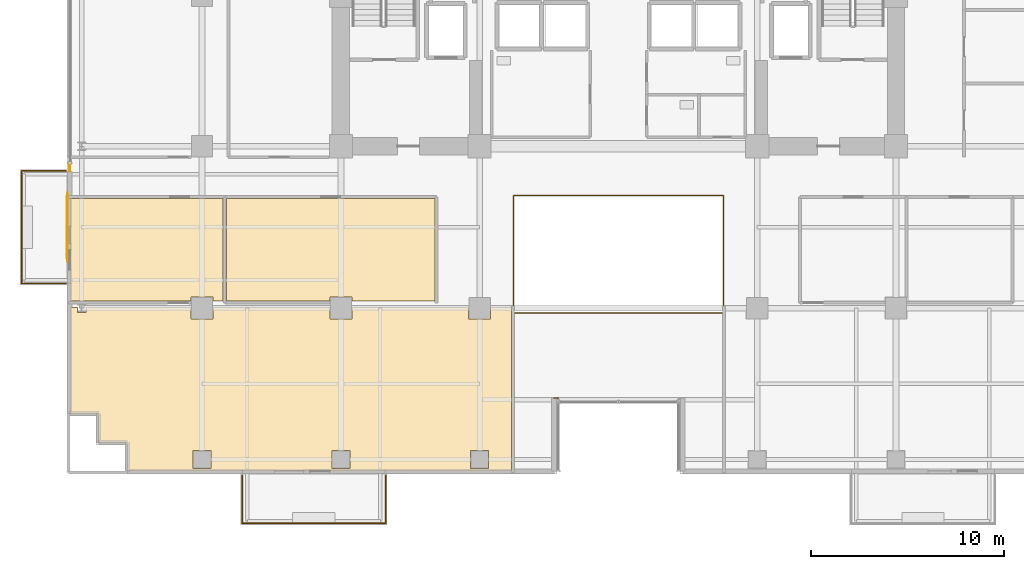
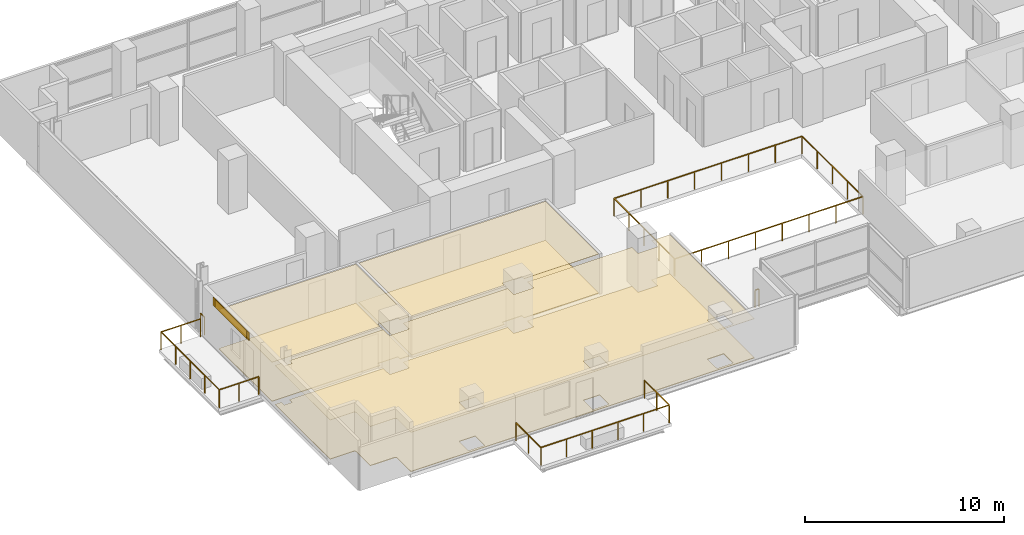
# One storey, part 28 of 32: 7 coverings, 5 railings, 1 shading device.
"""IFC4 building model written with IfcOpenShell, lengths in metres."""

from ifc_helpers import new_model, si_unit, direction, frame, origin, origin_2d, place, context, subcontext, project, spatial, polyline, rectangle, outline, extrude, source, transform, mapped, material, layer, layer_set, type_object, element, save


model = new_model("IFC4")

# Units and contexts
model_context = context("Model", 3, precision=1e-05, world=origin(), true_north=direction((0.0, 1.0)))
body_context = subcontext(model_context, "Body", "Model", "MODEL_VIEW")
ifc_project = project(units=[si_unit("LENGTHUNIT", "METRE"), si_unit("AREAUNIT", "SQUARE_METRE"), si_unit("VOLUMEUNIT", "CUBIC_METRE"), si_unit("PLANEANGLEUNIT", "RADIAN"), si_unit("MASSUNIT", "GRAM", prefix="KILO")], contexts=[model_context])

# Site, building, storey
site_placement = place(None, origin())
site = spatial("IfcSite", under=ifc_project, at=site_placement, CompositionType="ELEMENT")
building_placement = place(site_placement, origin())
building = spatial("IfcBuilding", under=site, at=building_placement, Name="Zarnakvel Exchange Tower", CompositionType="ELEMENT")
storey_placement = place(building_placement, frame((0.0, 0.0, 73.60009765625)))
storey = spatial("IfcBuildingStorey", under=building, at=storey_placement, Name="L20", CompositionType="ELEMENT", Elevation=73.60009765625)

# Coverings
ifc_material_1 = material(Name="Perforated Bronze Acoustic Metal Ceiling", Category="aluminium")
ifc_layer_1 = layer(ifc_material_1, 0.02001953125)
ifc_layer_set_1 = layer_set([ifc_layer_1], Name="Perforated Bronze Acoustic Metal Ceiling")
covering_type_1 = type_object("IfcCoveringType", Name="CLG-01", PredefinedType="CEILING", material=ifc_layer_set_1)
covering_1_placement = place(storey_placement, frame((0.0, 0.0, 2.40478515625)))
element("IfcCovering", 1, at=covering_1_placement, inside=storey, type_object=covering_type_1, Name="L20 Suspended Acoustic Ceiling (Sovereign Wealth Office)", PredefinedType="CEILING", context=body_context, shape_type="SweptSolid", body=[
    extrude(outline(polyline([(-28.449951171875, -3.909912109375), (-20.504638671875, -3.909912109375), (-20.504638671875, -9.239990234375), (-21.030029296875, -9.239990234375), (-21.030029296875, -9.030029296875), (-22.169921875, -9.030029296875), (-22.169921875, -9.239990234375), (-28.449951171875, -9.239990234375), (-28.449951171875, -3.909912109375)])), origin(), (0.0, 0.0, 1.0), 0.02001953125),
])
covering_2_placement = place(storey_placement, frame((0.0, 0.0, 2.40478515625)))
element("IfcCovering", 2, at=covering_2_placement, inside=storey, type_object=covering_type_1, Name="L20 Suspended Acoustic Ceiling (Corporate Advisory Suite)", PredefinedType="CEILING", context=body_context, shape_type="SweptSolid", body=[
    extrude(outline(polyline([(-20.344482421875, -3.909912109375), (-9.510009765625, -3.909912109375), (-9.510009765625, -9.239990234375), (-13.830078125, -9.239990234375), (-13.830078125, -9.030029296875), (-14.969970703125, -9.030029296875), (-14.969970703125, -9.239990234375), (-20.344482421875, -9.239990234375), (-20.344482421875, -3.909912109375)])), origin(), (0.0, 0.0, 1.0), 0.02001953125),
])
covering_3_placement = place(storey_placement, frame((0.0, 0.0, 2.40478515625)))
element("IfcCovering", 3, at=covering_3_placement, inside=storey, type_object=covering_type_1, Name="L20 Suspended Acoustic Ceiling (Sovereign Wealth Office)", PredefinedType="CEILING", context=body_context, shape_type="SweptSolid", body=[
    extrude(outline(polyline([(-28.075927734375, -9.56005859375), (-28.075927734375, -9.83251953125), (-27.6240234375, -9.83251953125), (-27.6240234375, -9.56005859375), (-22.169921875, -9.56005859375), (-22.169921875, -10.169921875), (-21.030029296875, -10.169921875), (-21.030029296875, -9.56005859375), (-14.969970703125, -9.56005859375), (-14.969970703125, -10.169921875), (-13.830078125, -10.169921875), (-13.830078125, -9.56005859375), (-7.77001953125, -9.56005859375), (-7.77001953125, -10.169921875), (-6.6298828125, -10.169921875), (-6.6298828125, -9.56005859375), (-5.56005859375, -9.56005859375), (-5.56005859375, -18.050048828125), (-25.47998046875, -18.050048828125), (-25.47998046875, -16.699951171875), (-25.48046875, -16.688232421875), (-25.482421875, -16.676513671875), (-25.485107421875, -16.665283203125), (-25.489013671875, -16.654052734375), (-25.494140625, -16.643310546875), (-25.500244140625, -16.63330078125), (-25.50732421875, -16.623779296875), (-25.51513671875, -16.615234375), (-25.52392578125, -16.607177734375), (-25.533447265625, -16.600341796875), (-25.54345703125, -16.59423828125), (-25.55419921875, -16.589111328125), (-25.565185546875, -16.585205078125), (-25.57666015625, -16.582275390625), (-25.588134765625, -16.58056640625), (-25.60009765625, -16.580078125), (-26.97998046875, -16.580078125), (-26.97998046875, -15.199951171875), (-26.98046875, -15.188232421875), (-26.982421875, -15.176513671875), (-26.985107421875, -15.165283203125), (-26.989013671875, -15.154052734375), (-26.994140625, -15.143310546875), (-27.000244140625, -15.13330078125), (-27.00732421875, -15.123779296875), (-27.01513671875, -15.115234375), (-27.02392578125, -15.107177734375), (-27.033447265625, -15.100341796875), (-27.04345703125, -15.09423828125), (-27.05419921875, -15.089111328125), (-27.065185546875, -15.085205078125), (-27.07666015625, -15.082275390625), (-27.088134765625, -15.08056640625), (-27.10009765625, -15.080078125), (-28.449951171875, -15.080078125), (-28.449951171875, -9.56005859375), (-28.075927734375, -9.56005859375)]), holes=[polyline([(-6.72998046875, -17.919921875), (-6.72998046875, -16.97998046875), (-7.669921875, -16.97998046875), (-7.669921875, -17.919921875), (-6.72998046875, -17.919921875)]), polyline([(-13.929931640625, -17.919921875), (-13.929931640625, -16.97998046875), (-14.8701171875, -16.97998046875), (-14.8701171875, -17.919921875), (-13.929931640625, -17.919921875)]), polyline([(-21.1298828125, -17.919921875), (-21.1298828125, -16.97998046875), (-22.070068359375, -16.97998046875), (-22.070068359375, -17.919921875), (-21.1298828125, -17.919921875)])]), origin(), (0.0, 0.0, 1.0), 0.02001953125),
])
ifc_material_2 = material(Name="Heavy-Duty Raised Access Floor Panel", Category="steel")
ifc_layer_2 = layer(ifc_material_2, 0.034912109375)
ifc_layer_set_2 = layer_set([ifc_layer_2], Name="Heavy-Duty Raised Access Floor Panel")
covering_type_2 = type_object("IfcCoveringType", Name="FLR-02", PredefinedType="FLOORING", material=ifc_layer_set_2)
covering_4_placement = place(storey_placement, origin())
element("IfcCovering", 4, at=covering_4_placement, inside=storey, type_object=covering_type_2, Name="L20 Floor Finish (Sovereign Wealth Office)", PredefinedType="FLOORING", context=body_context, shape_type="SweptSolid", body=[
    extrude(outline(polyline([(-28.449951171875, -3.909912109375), (-20.504638671875, -3.909912109375), (-20.504638671875, -9.239990234375), (-21.030029296875, -9.239990234375), (-21.030029296875, -9.030029296875), (-22.169921875, -9.030029296875), (-22.169921875, -9.239990234375), (-28.449951171875, -9.239990234375), (-28.449951171875, -3.909912109375)])), origin(), (0.0, 0.0, 1.0), 0.034912109375),
])
covering_5_placement = place(storey_placement, origin())
element("IfcCovering", 5, at=covering_5_placement, inside=storey, type_object=covering_type_2, Name="L20 Floor Finish (Corporate Advisory Suite)", PredefinedType="FLOORING", context=body_context, shape_type="SweptSolid", body=[
    extrude(outline(polyline([(-20.344482421875, -3.909912109375), (-9.510009765625, -3.909912109375), (-9.510009765625, -9.239990234375), (-13.830078125, -9.239990234375), (-13.830078125, -9.030029296875), (-14.969970703125, -9.030029296875), (-14.969970703125, -9.239990234375), (-20.344482421875, -9.239990234375), (-20.344482421875, -3.909912109375)])), origin(), (0.0, 0.0, 1.0), 0.034912109375),
])
covering_6_placement = place(storey_placement, origin())
element("IfcCovering", 6, at=covering_6_placement, inside=storey, type_object=covering_type_2, Name="L20 Floor Finish (Sovereign Wealth Office)", PredefinedType="FLOORING", context=body_context, shape_type="SweptSolid", body=[
    extrude(outline(polyline([(-28.075927734375, -9.56005859375), (-28.075927734375, -9.83251953125), (-27.6240234375, -9.83251953125), (-27.6240234375, -9.56005859375), (-22.169921875, -9.56005859375), (-22.169921875, -10.169921875), (-21.030029296875, -10.169921875), (-21.030029296875, -9.56005859375), (-14.969970703125, -9.56005859375), (-14.969970703125, -10.169921875), (-13.830078125, -10.169921875), (-13.830078125, -9.56005859375), (-7.77001953125, -9.56005859375), (-7.77001953125, -10.169921875), (-6.6298828125, -10.169921875), (-6.6298828125, -9.56005859375), (-5.56005859375, -9.56005859375), (-5.56005859375, -18.050048828125), (-25.47998046875, -18.050048828125), (-25.47998046875, -16.699951171875), (-25.48046875, -16.688232421875), (-25.482421875, -16.676513671875), (-25.485107421875, -16.665283203125), (-25.489013671875, -16.654052734375), (-25.494140625, -16.643310546875), (-25.500244140625, -16.63330078125), (-25.50732421875, -16.623779296875), (-25.51513671875, -16.615234375), (-25.52392578125, -16.607177734375), (-25.533447265625, -16.600341796875), (-25.54345703125, -16.59423828125), (-25.55419921875, -16.589111328125), (-25.565185546875, -16.585205078125), (-25.57666015625, -16.582275390625), (-25.588134765625, -16.58056640625), (-25.60009765625, -16.580078125), (-26.97998046875, -16.580078125), (-26.97998046875, -15.199951171875), (-26.98046875, -15.188232421875), (-26.982421875, -15.176513671875), (-26.985107421875, -15.165283203125), (-26.989013671875, -15.154052734375), (-26.994140625, -15.143310546875), (-27.000244140625, -15.13330078125), (-27.00732421875, -15.123779296875), (-27.01513671875, -15.115234375), (-27.02392578125, -15.107177734375), (-27.033447265625, -15.100341796875), (-27.04345703125, -15.09423828125), (-27.05419921875, -15.089111328125), (-27.065185546875, -15.085205078125), (-27.07666015625, -15.082275390625), (-27.088134765625, -15.08056640625), (-27.10009765625, -15.080078125), (-28.449951171875, -15.080078125), (-28.449951171875, -9.56005859375), (-28.075927734375, -9.56005859375)]), holes=[polyline([(-6.72998046875, -17.919921875), (-6.72998046875, -16.97998046875), (-7.669921875, -16.97998046875), (-7.669921875, -17.919921875), (-6.72998046875, -17.919921875)]), polyline([(-13.929931640625, -17.919921875), (-13.929931640625, -16.97998046875), (-14.8701171875, -16.97998046875), (-14.8701171875, -17.919921875), (-13.929931640625, -17.919921875)]), polyline([(-21.1298828125, -17.919921875), (-21.1298828125, -16.97998046875), (-22.070068359375, -16.97998046875), (-22.070068359375, -17.919921875), (-21.1298828125, -17.919921875)])]), origin(), (0.0, 0.0, 1.0), 0.034912109375),
])

# Railings
ifc_material_3 = material(Name="Architectural Bronze Anodised Aluminium", Category="aluminium")
railing_type_1 = type_object("IfcRailingType", Name="GR-02", PredefinedType="GUARDRAIL", material=ifc_material_3)
railing_1_placement = place(storey_placement, frame((-19.52001953125, -18.280029296875, -0.03515625)))
element("IfcRailing", 7, at=railing_1_placement, inside=storey, type_object=railing_type_1, Name="L20 Balcony Guardrail BAL-L20-SW", PredefinedType="GUARDRAIL", context=body_context, shape_type="SweptSolid", body=[
    extrude(rectangle(XDim=0.048095703125, YDim=0.048095703125, at=origin_2d()), frame((0.0, 0.0, 1.09619140625), z_axis=(0.0, -1.0, 0.0), x_axis=(1.0, 0.0, 0.0)), (0.0, 0.0, 1.0), 2.489990234375),
    extrude(rectangle(XDim=0.048095703125, YDim=0.048095703125, at=origin_2d()), frame((0.0, -2.489990234375, 1.09619140625), z_axis=(1.0, 0.0, 0.0), x_axis=(0.0, 1.0, 0.0)), (0.0, 0.0, 1.0), 7.43994140625),
    extrude(rectangle(XDim=0.048095703125, YDim=0.048095703125, at=origin_2d()), frame((7.43994140625, -2.489990234375, 1.09619140625), z_axis=(0.0, 1.0, 0.0), x_axis=(-1.0, 0.0, 0.0)), (0.0, 0.0, 1.0), 2.489990234375),
    extrude(rectangle(XDim=0.0419921875, YDim=0.0419921875, at=origin_2d()), origin(), (0.0, 0.0, 1.0), 1.072021484375),
    extrude(rectangle(XDim=0.0419921875, YDim=0.0419921875, at=origin_2d()), frame((0.0, -1.2451171875, 0.0)), (0.0, 0.0, 1.0), 1.072021484375),
    extrude(rectangle(XDim=0.0419921875, YDim=0.0419921875, at=origin_2d()), frame((0.0, -2.489990234375, 0.0)), (0.0, 0.0, 1.0), 1.072021484375),
    extrude(rectangle(XDim=0.0419921875, YDim=0.0419921875, at=origin_2d()), frame((1.488037109375, -2.489990234375, 0.0)), (0.0, 0.0, 1.0), 1.072021484375),
    extrude(rectangle(XDim=0.0419921875, YDim=0.0419921875, at=origin_2d()), frame((2.97607421875, -2.489990234375, 0.0)), (0.0, 0.0, 1.0), 1.072021484375),
    extrude(rectangle(XDim=0.0419921875, YDim=0.0419921875, at=origin_2d()), frame((4.4638671875, -2.489990234375, 0.0)), (0.0, 0.0, 1.0), 1.072021484375),
    extrude(rectangle(XDim=0.0419921875, YDim=0.0419921875, at=origin_2d()), frame((5.951904296875, -2.489990234375, 0.0)), (0.0, 0.0, 1.0), 1.072021484375),
    extrude(rectangle(XDim=0.0419921875, YDim=0.0419921875, at=origin_2d()), frame((7.43994140625, -2.489990234375, 0.0)), (0.0, 0.0, 1.0), 1.072021484375),
    extrude(rectangle(XDim=0.0419921875, YDim=0.0419921875, at=origin_2d()), frame((7.43994140625, -1.2451171875, 0.0)), (0.0, 0.0, 1.0), 1.072021484375),
    extrude(rectangle(XDim=0.0419921875, YDim=0.0419921875, at=origin_2d()), frame((7.43994140625, 0.0, 0.0)), (0.0, 0.0, 1.0), 1.072021484375),
])
railing_2_placement = place(storey_placement, frame((-28.679931640625, -8.320068359375, -0.03515625)))
element("IfcRailing", 8, at=railing_2_placement, inside=storey, type_object=railing_type_1, Name="L20 Balcony Guardrail BAL-L20-W", PredefinedType="GUARDRAIL", context=body_context, shape_type="SweptSolid", body=[
    extrude(rectangle(XDim=0.048095703125, YDim=0.048095703125, at=origin_2d()), frame((0.0, 0.0, 1.09619140625), z_axis=(-1.0, 0.0, 0.0), x_axis=(0.0, -1.0, 0.0)), (0.0, 0.0, 1.0), 2.2900390625),
    extrude(rectangle(XDim=0.048095703125, YDim=0.048095703125, at=origin_2d()), frame((-2.2900390625, 0.0, 1.09619140625), z_axis=(0.0, 1.0, 0.0), x_axis=(-1.0, 0.0, 0.0)), (0.0, 0.0, 1.0), 5.840087890625),
    extrude(rectangle(XDim=0.048095703125, YDim=0.048095703125, at=origin_2d()), frame((-2.2900390625, 5.840087890625, 1.09619140625), z_axis=(1.0, 0.0, 0.0), x_axis=(0.0, 1.0, 0.0)), (0.0, 0.0, 1.0), 2.2900390625),
    extrude(rectangle(XDim=0.0419921875, YDim=0.0419921875, at=origin_2d()), origin(), (0.0, 0.0, 1.0), 1.072021484375),
    extrude(rectangle(XDim=0.0419921875, YDim=0.0419921875, at=origin_2d()), frame((-1.14501953125, 0.0, 0.0)), (0.0, 0.0, 1.0), 1.072021484375),
    extrude(rectangle(XDim=0.0419921875, YDim=0.0419921875, at=origin_2d()), frame((-2.2900390625, 0.0, 0.0)), (0.0, 0.0, 1.0), 1.072021484375),
    extrude(rectangle(XDim=0.0419921875, YDim=0.0419921875, at=origin_2d()), frame((-2.2900390625, 1.4599609375, 0.0)), (0.0, 0.0, 1.0), 1.072021484375),
    extrude(rectangle(XDim=0.0419921875, YDim=0.0419921875, at=origin_2d()), frame((-2.2900390625, 2.919921875, 0.0)), (0.0, 0.0, 1.0), 1.072021484375),
    extrude(rectangle(XDim=0.0419921875, YDim=0.0419921875, at=origin_2d()), frame((-2.2900390625, 4.380126953125, 0.0)), (0.0, 0.0, 1.0), 1.072021484375),
    extrude(rectangle(XDim=0.0419921875, YDim=0.0419921875, at=origin_2d()), frame((-2.2900390625, 5.840087890625, 0.0)), (0.0, 0.0, 1.0), 1.072021484375),
    extrude(rectangle(XDim=0.0419921875, YDim=0.0419921875, at=origin_2d()), frame((-1.14501953125, 5.840087890625, 0.0)), (0.0, 0.0, 1.0), 1.072021484375),
    extrude(rectangle(XDim=0.0419921875, YDim=0.0419921875, at=origin_2d()), frame((0.0, 5.840087890625, 0.0)), (0.0, 0.0, 1.0), 1.072021484375),
])
railing_3_placement = place(storey_placement, frame((-28.4599609375, -2.5, 0.0)))
element("IfcRailing", 9, at=railing_3_placement, inside=storey, type_object=railing_type_1, Name="L20 Corner Spandrel Balustrade #2", PredefinedType="GUARDRAIL", context=body_context, shape_type="SweptSolid", body=[
    extrude(rectangle(XDim=0.048095703125, YDim=0.048095703125, at=origin_2d()), frame((0.0, 0.0, 1.09619140625), z_axis=(0.0, 1.0, 0.0), x_axis=(-1.0, 0.0, 0.0)), (0.0, 0.0, 1.0), 0.39990234375),
    extrude(rectangle(XDim=0.0419921875, YDim=0.0419921875, at=origin_2d()), origin(), (0.0, 0.0, 1.0), 1.072021484375),
    extrude(rectangle(XDim=0.0419921875, YDim=0.0419921875, at=origin_2d()), frame((0.0, 0.39990234375, 0.0)), (0.0, 0.0, 1.0), 1.072021484375),
])
railing_4_placement = place(storey_placement, frame((-3.1201171875, -14.260009765625, 0.0)))
element("IfcRailing", 10, at=railing_4_placement, inside=storey, type_object=railing_type_1, Name="L20 Corner Spandrel Balustrade #19", PredefinedType="GUARDRAIL", context=body_context, shape_type="SweptSolid", body=[
    extrude(rectangle(XDim=0.048095703125, YDim=0.048095703125, at=origin_2d()), frame((0.0, 0.0, 1.09619140625), z_axis=(-1.0, 0.0, 0.0), x_axis=(0.0, -1.0, 0.0)), (0.0, 0.0, 1.0), 0.219970703125),
    extrude(rectangle(XDim=0.0419921875, YDim=0.0419921875, at=origin_2d()), origin(), (0.0, 0.0, 1.0), 1.072021484375),
    extrude(rectangle(XDim=0.0419921875, YDim=0.0419921875, at=origin_2d()), frame((-0.219970703125, 0.0, 0.0)), (0.0, 0.0, 1.0), 1.072021484375),
])
railing_type_2 = type_object("IfcRailingType", Name="GR-03", PredefinedType="GUARDRAIL", material=ifc_material_3)
railing_5_placement = place(storey_placement, frame((-5.449951171875, -9.85009765625, 0.0)))
element("IfcRailing", 11, at=railing_5_placement, inside=storey, type_object=railing_type_2, Name="L20 Atrium Void Perimeter Balustrade", PredefinedType="GUARDRAIL", context=body_context, shape_type="SweptSolid", body=[
    extrude(rectangle(XDim=0.048095703125, YDim=0.048095703125, at=origin_2d()), frame((0.0, 0.0, 1.076171875), z_axis=(1.0, 0.0, 0.0), x_axis=(0.0, 1.0, 0.0)), (0.0, 0.0, 1.0), 10.89990234375),
    extrude(rectangle(XDim=0.048095703125, YDim=0.048095703125, at=origin_2d()), frame((10.89990234375, 0.0, 1.076171875), z_axis=(0.0, 1.0, 0.0), x_axis=(-1.0, 0.0, 0.0)), (0.0, 0.0, 1.0), 6.10009765625),
    extrude(rectangle(XDim=0.048095703125, YDim=0.048095703125, at=origin_2d()), frame((10.89990234375, 6.10009765625, 1.076171875), z_axis=(-1.0, 0.0, 0.0), x_axis=(0.0, -1.0, 0.0)), (0.0, 0.0, 1.0), 10.89990234375),
    extrude(rectangle(XDim=0.048095703125, YDim=0.048095703125, at=origin_2d()), frame((0.0, 6.10009765625, 1.076171875), z_axis=(0.0, -1.0, 0.0), x_axis=(1.0, 0.0, 0.0)), (0.0, 0.0, 1.0), 6.02001953125),
    extrude(rectangle(XDim=0.0419921875, YDim=0.0419921875, at=origin_2d()), origin(), (0.0, 0.0, 1.0), 1.052001953125),
    extrude(rectangle(XDim=0.0419921875, YDim=0.0419921875, at=origin_2d()), frame((1.55712890625, 0.0, 0.0)), (0.0, 0.0, 1.0), 1.052001953125),
    extrude(rectangle(XDim=0.0419921875, YDim=0.0419921875, at=origin_2d()), frame((3.1142578125, 0.0, 0.0)), (0.0, 0.0, 1.0), 1.052001953125),
    extrude(rectangle(XDim=0.0419921875, YDim=0.0419921875, at=origin_2d()), frame((4.67138671875, 0.0, 0.0)), (0.0, 0.0, 1.0), 1.052001953125),
    extrude(rectangle(XDim=0.0419921875, YDim=0.0419921875, at=origin_2d()), frame((6.228515625, 0.0, 0.0)), (0.0, 0.0, 1.0), 1.052001953125),
    extrude(rectangle(XDim=0.0419921875, YDim=0.0419921875, at=origin_2d()), frame((7.78564453125, 0.0, 0.0)), (0.0, 0.0, 1.0), 1.052001953125),
    extrude(rectangle(XDim=0.0419921875, YDim=0.0419921875, at=origin_2d()), frame((9.3427734375, 0.0, 0.0)), (0.0, 0.0, 1.0), 1.052001953125),
    extrude(rectangle(XDim=0.0419921875, YDim=0.0419921875, at=origin_2d()), frame((10.89990234375, 0.0, 0.0)), (0.0, 0.0, 1.0), 1.052001953125),
    extrude(rectangle(XDim=0.0419921875, YDim=0.0419921875, at=origin_2d()), frame((10.89990234375, 1.52490234375, 0.0)), (0.0, 0.0, 1.0), 1.052001953125),
    extrude(rectangle(XDim=0.0419921875, YDim=0.0419921875, at=origin_2d()), frame((10.89990234375, 3.050048828125, 0.0)), (0.0, 0.0, 1.0), 1.052001953125),
    extrude(rectangle(XDim=0.0419921875, YDim=0.0419921875, at=origin_2d()), frame((10.89990234375, 4.5751953125, 0.0)), (0.0, 0.0, 1.0), 1.052001953125),
    extrude(rectangle(XDim=0.0419921875, YDim=0.0419921875, at=origin_2d()), frame((10.89990234375, 6.10009765625, 0.0)), (0.0, 0.0, 1.0), 1.052001953125),
    extrude(rectangle(XDim=0.0419921875, YDim=0.0419921875, at=origin_2d()), frame((9.3427734375, 6.10009765625, 0.0)), (0.0, 0.0, 1.0), 1.052001953125),
    extrude(rectangle(XDim=0.0419921875, YDim=0.0419921875, at=origin_2d()), frame((7.78564453125, 6.10009765625, 0.0)), (0.0, 0.0, 1.0), 1.052001953125),
    extrude(rectangle(XDim=0.0419921875, YDim=0.0419921875, at=origin_2d()), frame((6.228515625, 6.10009765625, 0.0)), (0.0, 0.0, 1.0), 1.052001953125),
    extrude(rectangle(XDim=0.0419921875, YDim=0.0419921875, at=origin_2d()), frame((4.67138671875, 6.10009765625, 0.0)), (0.0, 0.0, 1.0), 1.052001953125),
    extrude(rectangle(XDim=0.0419921875, YDim=0.0419921875, at=origin_2d()), frame((3.1142578125, 6.10009765625, 0.0)), (0.0, 0.0, 1.0), 1.052001953125),
    extrude(rectangle(XDim=0.0419921875, YDim=0.0419921875, at=origin_2d()), frame((1.55712890625, 6.10009765625, 0.0)), (0.0, 0.0, 1.0), 1.052001953125),
    extrude(rectangle(XDim=0.0419921875, YDim=0.0419921875, at=origin_2d()), frame((0.0, 6.10009765625, 0.0)), (0.0, 0.0, 1.0), 1.052001953125),
    extrude(rectangle(XDim=0.0419921875, YDim=0.0419921875, at=origin_2d()), frame((0.0, 4.59521484375, 0.0)), (0.0, 0.0, 1.0), 1.052001953125),
    extrude(rectangle(XDim=0.0419921875, YDim=0.0419921875, at=origin_2d()), frame((0.0, 3.090087890625, 0.0)), (0.0, 0.0, 1.0), 1.052001953125),
    extrude(rectangle(XDim=0.0419921875, YDim=0.0419921875, at=origin_2d()), frame((0.0, 1.5849609375, 0.0)), (0.0, 0.0, 1.0), 1.052001953125),
    extrude(rectangle(XDim=0.0419921875, YDim=0.0419921875, at=origin_2d()), frame((0.0, 0.080078125, 0.0)), (0.0, 0.0, 1.0), 1.052001953125),
])

# Shading device
ifc_material_4 = material(Name="Perforated Architectural Bronze Screen", Category="aluminium")
ifc_layer_3 = layer(ifc_material_4, 0.044921875)
ifc_layer_set_3 = layer_set([ifc_layer_3], Name="Perforated Architectural Bronze Screen")
shading_device_type = type_object("IfcShadingDeviceType", Name="SS-01", PredefinedType="JALOUSIE", material=ifc_layer_set_3)
shared_shape_1 = source(origin(), body_context, "Body", "SweptSolid", [
    extrude(rectangle(XDim=3.199951171875, YDim=0.044921875, at=origin_2d()), origin(), (0.0, 0.0, 1.0), 0.4951171875),
])
shading_device_placement = place(storey_placement, frame((-28.6005859375, -5.39990234375, 2.559814453125), z_axis=(0.0, 0.0, 1.0), x_axis=(0.0, 1.0, 0.0)))
element("IfcShadingDevice", 12, at=shading_device_placement, inside=storey, type_object=shading_device_type, Name="L20 Bronze Solar Shading Screen SS-01", PredefinedType="JALOUSIE", context=body_context, shape_type="MappedRepresentation", body=[
    mapped(shared_shape_1, transform((0.0, 0.0, 0.0), x_axis=(1.0, 0.0, 0.0), y_axis=(0.0, 1.0, 0.0), z_axis=(0.0, 0.0, 1.0), scale=1.0)),
])

# Covering
ifc_material_5 = material(Name="Glazed Turquoise Ceramic Architectural Tile", Category="ceramic")
ifc_layer_4 = layer(ifc_material_5, 0.028076171875)
ifc_layer_set_4 = layer_set([ifc_layer_4], Name="Glazed Turquoise Ceramic Architectural Tile")
covering_type_3 = type_object("IfcCoveringType", Name="CL-01", PredefinedType="CLADDING", material=ifc_layer_set_4)
shared_shape_2 = source(origin(), body_context, "Body", "SweptSolid", [
    extrude(rectangle(XDim=3.60009765625, YDim=0.028076171875, at=origin_2d()), origin(), (0.0, 0.0, 1.0), 0.4951171875),
])
covering_7_placement = place(storey_placement, frame((-28.592041015625, -5.39990234375, 2.559814453125), z_axis=(0.0, 0.0, 1.0), x_axis=(0.0, 1.0, 0.0)))
element("IfcCovering", 13, at=covering_7_placement, inside=storey, type_object=covering_type_3, Name="L20 Ceramic Spandrel Tilework CL-01", PredefinedType="CLADDING", context=body_context, shape_type="MappedRepresentation", body=[
    mapped(shared_shape_2, transform((0.0, 0.0, 0.0), x_axis=(1.0, 0.0, 0.0), y_axis=(0.0, 1.0, 0.0), z_axis=(0.0, 0.0, 1.0), scale=1.0)),
])

save(model, "model.ifc")
